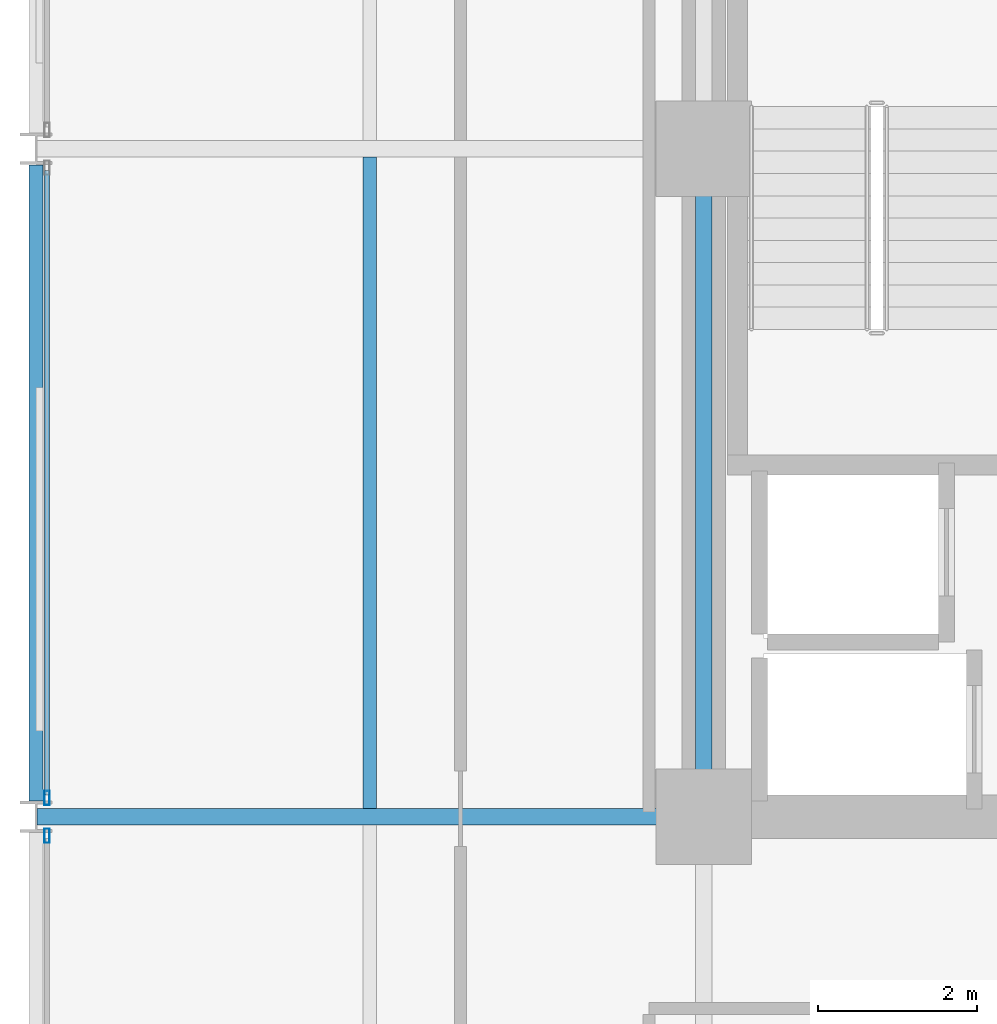
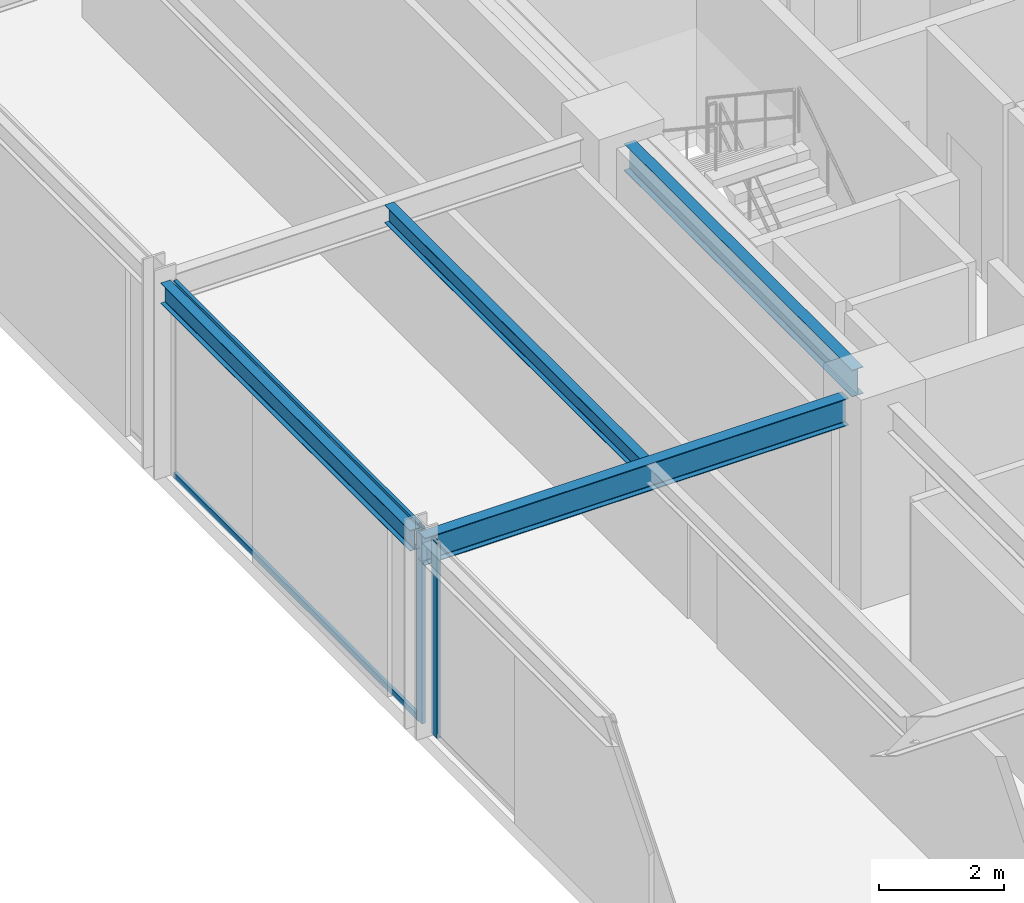
# One storey, part 13 of 38: 4 beams, 4 members, 2 elements without a shape of their own.
"""IFC4 building model written with IfcOpenShell, lengths in metres."""

import ifcopenshell
import ifcopenshell.guid

model = None  # the IFC model being written
_history = None  # IfcOwnerHistory: only IFC2X3 demands one
_inside = {}  # id of a spatial element -> (the spatial element, [elements in it])
_under = {}  # id of a project, library or spatial element -> (it, [spatial elements below it])
_declared = {}  # id of a project -> (the project, [libraries it declares])
_typed = {}  # id of a type object -> (the type object, [elements of that type])
_made_of = {}  # id of a material, layer set ... -> (it, [elements and type objects made of it])


def new_model(schema):
    """Start an empty IFC model of exactly this schema.

    Asked for "IFC4X3", IfcOpenShell would pick the latest addendum, in which some entities
    have other attributes; the version numbers below select the first issue.
    IFC2X3 requires an IfcOwnerHistory on every rooted entity: one is made here for all.
    """
    global model, _history
    if schema == "IFC4X3":
        model = ifcopenshell.file(schema_version=(4, 3, 0, 0))
    else:
        model = ifcopenshell.file(schema=schema)
    _inside.clear()
    _under.clear()
    _declared.clear()
    _typed.clear()
    _made_of.clear()
    _history = None
    if model.schema == "IFC2X3":
        org = make("IfcOrganization", Name="unknown")
        user = make(
            "IfcPersonAndOrganization",
            ThePerson=make("IfcPerson", FamilyName="unknown"),
            TheOrganization=org,
        )
        app = make(
            "IfcApplication",
            ApplicationDeveloper=org,
            Version="unknown",
            ApplicationFullName="unknown",
            ApplicationIdentifier="unknown",
        )
        _history = make(
            "IfcOwnerHistory",
            OwningUser=user,
            OwningApplication=app,
            ChangeAction="ADDED",
            CreationDate=0,
        )
    return model


def make(cls, **values):
    """One entity of the class cls with the attributes given. An attribute that is None is left unset."""
    return model.create_entity(
        cls, **{name: value for name, value in values.items() if value is not None}
    )


def rooted(cls, **values):
    """An entity with a GlobalId (a new one), such as an element, a storey or a relation."""
    return make(cls, GlobalId=ifcopenshell.guid.new(), OwnerHistory=_history, **values)


def si_unit(unit_type, name, prefix=None):
    """IfcSIUnit, for example si_unit("LENGTHUNIT", "METRE", prefix="MILLI")."""
    return make("IfcSIUnit", UnitType=unit_type, Prefix=prefix, Name=name)


def assignment(units):
    """IfcUnitAssignment: the units of a project."""
    return None if units is None else make("IfcUnitAssignment", Units=units)


def point(xyz):
    """IfcCartesianPoint."""
    return None if xyz is None else make("IfcCartesianPoint", Coordinates=xyz)


def direction(xyz):
    """IfcDirection."""
    return None if xyz is None else make("IfcDirection", DirectionRatios=xyz)


def frame(location, z_axis=None, x_axis=None):
    """IfcAxis2Placement3D, a coordinate frame: its origin and axes. An axis left out is left unset."""
    return make(
        "IfcAxis2Placement3D",
        Location=point(location),
        Axis=direction(z_axis),
        RefDirection=direction(x_axis),
    )


def frame_2d(location, x_axis=None):
    """IfcAxis2Placement2D, a coordinate frame in the plane: its origin and x axis."""
    return make(
        "IfcAxis2Placement2D", Location=point(location), RefDirection=direction(x_axis)
    )


def origin():
    """The frame at (0, 0, 0) with its axes left unset."""
    return frame((0.0, 0.0, 0.0))


def origin_2d():
    """The frame at (0, 0) in the plane with its x axis left unset."""
    return frame_2d((0.0, 0.0))


def place(relative_to, where):
    """IfcLocalPlacement: puts the frame where relative to a parent placement (None: the world)."""
    return make(
        "IfcLocalPlacement", PlacementRelTo=relative_to, RelativePlacement=where
    )


def context(
    kind, dimensions, precision=None, world=None, true_north=None, identifier=None
):
    """IfcGeometricRepresentationContext, for example the 3D "Model" context."""
    return make(
        "IfcGeometricRepresentationContext",
        ContextIdentifier=identifier,
        ContextType=kind,
        CoordinateSpaceDimension=dimensions,
        Precision=precision,
        WorldCoordinateSystem=world,
        TrueNorth=true_north,
    )


def subcontext(parent, identifier, kind, view, scale=None):
    """IfcGeometricRepresentationSubContext, for example "Body" below "Model"."""
    return make(
        "IfcGeometricRepresentationSubContext",
        ContextIdentifier=identifier,
        ContextType=kind,
        ParentContext=parent,
        TargetScale=scale,
        TargetView=view,
    )


def project(units=None, contexts=None):
    """IfcProject with its units and contexts."""
    return rooted(
        "IfcProject",
        Name="project",
        RepresentationContexts=contexts,
        UnitsInContext=assignment(units),
    )


def spatial(cls, under=None, at=None, **own):
    """A site, building, storey or space (cls), placed at a placement, below another one or the project."""
    s = rooted(cls, ObjectPlacement=at, **own)
    if under is not None:
        _under.setdefault(under.id(), (under, []))[1].append(s)
    return s


def profile(cls, at=None, kind="AREA", **sizes):
    """A parametric profile (cls). Its sizes go by their IFC names, for example OverallWidth=200.0."""
    return make(cls, ProfileType=kind, Position=at, **sizes)


def hollow_rectangle(**sizes):
    """IfcRectangleHollowProfileDef."""
    return profile("IfcRectangleHollowProfileDef", **sizes)


def i_section(**sizes):
    """IfcIShapeProfileDef."""
    return profile("IfcIShapeProfileDef", **sizes)


def extrude(swept, where, along, depth):
    """IfcExtrudedAreaSolid: the profile swept, set in the frame where, extruded along a direction by depth."""
    return make(
        "IfcExtrudedAreaSolid",
        SweptArea=swept,
        Position=where,
        ExtrudedDirection=direction(along),
        Depth=depth,
    )


def shape(context_of_items, identifier, shape_type, items):
    """IfcShapeRepresentation: the items that make up one representation, for example the "Body"."""
    return make(
        "IfcShapeRepresentation",
        ContextOfItems=context_of_items,
        RepresentationIdentifier=identifier,
        RepresentationType=shape_type,
        Items=items,
    )


def material(Name=None, Category=None):
    """IfcMaterial."""
    return make("IfcMaterial", Name=Name, Category=Category)


def layer(
    of_material, thickness, ventilated=None, Name=None, Category=None, Priority=None
):
    """IfcMaterialLayer: one layer of a wall or slab, of a material (None: an air gap)."""
    return make(
        "IfcMaterialLayer",
        Material=of_material,
        LayerThickness=thickness,
        IsVentilated=ventilated,
        Name=Name,
        Category=Category,
        Priority=Priority,
    )


def layer_set(layers, Name=None):
    """IfcMaterialLayerSet."""
    return make("IfcMaterialLayerSet", MaterialLayers=layers, LayerSetName=Name)


def material_profile(
    of_material, cross_section, Name=None, Category=None, Priority=None
):
    """IfcMaterialProfile: a cross section and its material."""
    return make(
        "IfcMaterialProfile",
        Name=Name,
        Material=of_material,
        Profile=cross_section,
        Priority=Priority,
        Category=Category,
    )


def profile_set(profiles, Name=None, composite=None):
    """IfcMaterialProfileSet."""
    return make(
        "IfcMaterialProfileSet",
        Name=Name,
        MaterialProfiles=profiles,
        CompositeProfile=composite,
    )


def made_of(thing, what):
    """Note that an element or type object is made of a material, layer set ...; save() writes the relation."""
    if what is not None:
        _made_of.setdefault(what.id(), (what, []))[1].append(thing)
    return thing


def type_object(cls, material=None, **own):
    """A type object (cls), such as IfcWallType, which elements share."""
    return made_of(rooted(cls, **own), material)


def element(
    cls,
    number,
    at=None,
    inside=None,
    cuts=None,
    type_object=None,
    material=None,
    context=None,
    identifier="Body",
    shape_type=None,
    held_by="IfcProductDefinitionShape",
    body=None,
    shapes=None,
    **own,
):
    """One element of the class cls, such as IfcWall. Its Tag is "e" and its number.

    at: its placement. inside: the storey or other place that contains it. cuts: it is an
    opening in that element (IfcRelVoidsElement). A single representation is given by context,
    identifier, shape_type and body (its items); several are given by shapes. held_by: the class
    of the entity that holds the representations. save() writes the other relations.
    """
    e = rooted(cls, Tag="e%d" % number, ObjectPlacement=at, **own)
    if body is not None:
        shapes = [shape(context, identifier, shape_type, body)]
    if shapes is not None:
        e.Representation = make(held_by, Representations=shapes)
    if inside is not None:
        _inside.setdefault(inside.id(), (inside, []))[1].append(e)
    if cuts is not None:
        rooted(
            "IfcRelVoidsElement", RelatingBuildingElement=cuts, RelatedOpeningElement=e
        )
    if type_object is not None:
        _typed.setdefault(type_object.id(), (type_object, []))[1].append(e)
    return made_of(e, material)


def aggregate(whole, parts):
    """IfcRelAggregates: a whole, such as a stair, and the parts it consists of."""
    return rooted("IfcRelAggregates", RelatingObject=whole, RelatedObjects=parts)


def save(model, path):
    """Write the relations noted so far, then the file.

    IfcRelAggregates (storeys below a building ...), IfcRelContainedInSpatialStructure (elements
    in a storey), IfcRelDefinesByType, IfcRelAssociatesMaterial and IfcRelDeclares: one each for
    every whole, place, type object, material and project.
    """
    for whole, parts in _under.values():
        aggregate(whole, parts)
    for where, things in _inside.values():
        rooted(
            "IfcRelContainedInSpatialStructure",
            RelatedElements=things,
            RelatingStructure=where,
        )
    for kind, things in _typed.values():
        rooted("IfcRelDefinesByType", RelatedObjects=things, RelatingType=kind)
    for what, things in _made_of.values():
        rooted("IfcRelAssociatesMaterial", RelatedObjects=things, RelatingMaterial=what)
    for by, libraries in _declared.values():
        rooted("IfcRelDeclares", RelatingContext=by, RelatedDefinitions=libraries)
    model.write(path)


model = new_model("IFC4")

# Units and contexts
model_context = context("Model", 3, precision=1e-05, world=origin(), true_north=direction((0.0, 1.0)))
body_context = subcontext(model_context, "Body", "Model", "MODEL_VIEW")
ifc_project = project(units=[si_unit("LENGTHUNIT", "METRE"), si_unit("AREAUNIT", "SQUARE_METRE"), si_unit("VOLUMEUNIT", "CUBIC_METRE"), si_unit("PLANEANGLEUNIT", "RADIAN"), si_unit("MASSUNIT", "GRAM", prefix="KILO")], contexts=[model_context])

# Site, building, storey
site_placement = place(None, origin())
site = spatial("IfcSite", under=ifc_project, at=site_placement, CompositionType="ELEMENT")
building_placement = place(site_placement, origin())
building = spatial("IfcBuilding", under=site, at=building_placement, Name="Nerrivon Quay Data Exchange", CompositionType="ELEMENT")
storey_placement = place(building_placement, frame((0.0, 0.0, 88.5)))
storey = spatial("IfcBuildingStorey", under=building, at=storey_placement, Name="L20", CompositionType="ELEMENT", Elevation=88.5)

# Beams
ifc_material_1 = material(Name="Steel Grade 350", Category="steel")
ifc_material_profile_1 = material_profile(ifc_material_1, i_section(OverallWidth=0.208984375, OverallDepth=0.532958984375, WebThickness=0.01025390625, FlangeThickness=0.015625, FilletRadius=0.013916015625, at=origin_2d()), Name="530UB92.4")
ifc_profile_set_1 = profile_set([ifc_material_profile_1], Name="Steel Grade 350")
beam_type_1 = type_object("IfcBeamType", Name="BM-G3-530UB92", PredefinedType="BEAM", material=ifc_profile_set_1)
beam_1_placement = place(storey_placement, frame((0.012451171875, 25.199951171875, 3.55859375), z_axis=(1.0, 0.0, 0.0), x_axis=(0.0, 1.0, 0.0)))
element("IfcBeam", 1, at=beam_1_placement, inside=storey, type_object=beam_type_1, Name="L20 EW Girder Y=25.2 (0.0..8.4)", PredefinedType="BEAM", context=body_context, shape_type="SweptSolid", body=[
    extrude(i_section(OverallWidth=0.208984375, OverallDepth=0.532958984375, WebThickness=0.01025390625, FlangeThickness=0.015625, FilletRadius=0.013916015625, at=origin_2d()), origin(), (0.0, 0.0, 1.0), 7.84765625),
])
ifc_material_profile_2 = material_profile(ifc_material_1, i_section(OverallWidth=0.208984375, OverallDepth=0.528076171875, WebThickness=0.009521484375, FlangeThickness=0.01318359375, FilletRadius=0.013916015625, at=origin_2d()), Name="530UB82.0")
ifc_profile_set_2 = profile_set([ifc_material_profile_2], Name="Steel Grade 350")
beam_type_2 = type_object("IfcBeamType", Name="BM-G4-530UB82", PredefinedType="BEAM", material=ifc_profile_set_2)
beam_2_placement = place(storey_placement, frame((8.39990234375, 25.739990234375, 3.56103515625), z_axis=(0.0, 1.0, 0.0), x_axis=(-1.0, 0.0, 0.0)))
element("IfcBeam", 2, at=beam_2_placement, inside=storey, type_object=beam_type_2, Name="L20 NS Girder X=8.4 (25.2..33.6)", PredefinedType="BEAM", context=body_context, shape_type="SweptSolid", body=[
    extrude(i_section(OverallWidth=0.208984375, OverallDepth=0.528076171875, WebThickness=0.009521484375, FlangeThickness=0.01318359375, FilletRadius=0.013916015625, at=origin_2d()), origin(), (0.0, 0.0, 1.0), 7.320068359375),
])
ifc_material_profile_3 = material_profile(ifc_material_1, i_section(OverallWidth=0.1708984375, OverallDepth=0.35595703125, WebThickness=0.00732421875, FlangeThickness=0.011474609375, FilletRadius=0.011474609375, at=origin_2d()), Name="360UB50.7")
ifc_profile_set_3 = profile_set([ifc_material_profile_3], Name="Steel Grade 350")
beam_type_3 = type_object("IfcBeamType", Name="BM-J4-360UB51", PredefinedType="JOIST", material=ifc_profile_set_3)
beam_3_placement = place(storey_placement, frame((4.199951171875, 25.304443359375, 3.64697265625), z_axis=(0.0, 1.0, 0.0), x_axis=(-1.0, 0.0, 0.0)))
element("IfcBeam", 3, at=beam_3_placement, inside=storey, type_object=beam_type_3, Name="L20 Secondary Joist X=4.2 (25.2..33.6)", PredefinedType="JOIST", context=body_context, shape_type="SweptSolid", body=[
    extrude(i_section(OverallWidth=0.1708984375, OverallDepth=0.35595703125, WebThickness=0.00732421875, FlangeThickness=0.011474609375, FilletRadius=0.011474609375, at=origin_2d()), origin(), (0.0, 0.0, 1.0), 8.191162109375),
])
ifc_material_profile_4 = material_profile(ifc_material_1, i_section(OverallWidth=0.177978515625, OverallDepth=0.403076171875, WebThickness=0.007568359375, FlangeThickness=0.010986328125, FilletRadius=0.011474609375, at=origin_2d()), Name="410UB53.7")
ifc_profile_set_4 = profile_set([ifc_material_profile_4], Name="Steel Grade 350")
beam_type_4 = type_object("IfcBeamType", Name="BM-SP2-410UB54", PredefinedType="SPANDREL", material=ifc_profile_set_4)
beam_4_placement = place(storey_placement, frame((0.0, 25.39990234375, 3.62353515625), z_axis=(0.0, 1.0, 0.0), x_axis=(-1.0, 0.0, 0.0)))
element("IfcBeam", 4, at=beam_4_placement, inside=storey, type_object=beam_type_4, Name="L20 NS Girder X=0.0 (25.2..33.6)", PredefinedType="SPANDREL", context=body_context, shape_type="SweptSolid", body=[
    extrude(i_section(OverallWidth=0.177978515625, OverallDepth=0.403076171875, WebThickness=0.007568359375, FlangeThickness=0.010986328125, FilletRadius=0.011474609375, at=origin_2d()), origin(), (0.0, 0.0, 1.0), 8.0),
])

# Curtain wall, member
ifc_material_2 = material(Name="Anodised aluminium 6063-T6", Category="aluminium")
ifc_layer = layer(ifc_material_2, 0.2099609375)
ifc_layer_set = layer_set([ifc_layer], Name="Anodised aluminium 6063-T6")
curtain_wall_type = type_object("IfcCurtainWallType", Name="CW-SYS-02", PredefinedType="NOTDEFINED", material=ifc_layer_set)
curtain_wall_1_placement = place(storey_placement, origin())
curtain_wall_1 = element("IfcCurtainWall", 5, at=curtain_wall_1_placement, inside=storey, type_object=curtain_wall_type, Name="L20 Unitised Curtain Wall 19", PredefinedType="NOTDEFINED")
ifc_material_profile_5 = material_profile(ifc_material_2, hollow_rectangle(XDim=0.06494140625, YDim=0.179931640625, WallThickness=0.00341796875, at=origin_2d()), Name="ALU-MULL-180x65")
ifc_profile_set_5 = profile_set([ifc_material_profile_5], Name="Anodised aluminium 6063-T6")
member_type_1 = type_object("IfcMemberType", Name="CWM-180x65", PredefinedType="MULLION", material=ifc_profile_set_5)
member_1_placement = place(storey_placement, frame((0.139892578125, 24.96240234375, 0.0), z_axis=(0.0, 0.0, 1.0), x_axis=(-1.0, 0.0, 0.0)))
member_1 = element("IfcMember", 6, at=member_1_placement, type_object=member_type_1, Name="CW02 mullion 2", PredefinedType="MULLION", context=body_context, shape_type="SweptSolid", body=[
    extrude(hollow_rectangle(XDim=0.06494140625, YDim=0.179931640625, WallThickness=0.00341796875, at=origin_2d()), origin(), (0.0, 0.0, 1.0), 3.824951171875),
])
aggregate(curtain_wall_1, [member_1])

# Curtain wall, members
curtain_wall_2_placement = place(storey_placement, origin())
curtain_wall_2 = element("IfcCurtainWall", 7, at=curtain_wall_2_placement, inside=storey, type_object=curtain_wall_type, Name="L20 Unitised Curtain Wall 20", PredefinedType="NOTDEFINED")
member_2_placement = place(storey_placement, frame((0.139892578125, 25.4375, 0.0), z_axis=(0.0, 0.0, 1.0), x_axis=(-1.0, 0.0, 0.0)))
member_2 = element("IfcMember", 8, at=member_2_placement, type_object=member_type_1, Name="CW02 mullion 1", PredefinedType="MULLION", context=body_context, shape_type="SweptSolid", body=[
    extrude(hollow_rectangle(XDim=0.06494140625, YDim=0.179931640625, WallThickness=0.00341796875, at=origin_2d()), origin(), (0.0, 0.0, 1.0), 3.824951171875),
])
ifc_material_profile_6 = material_profile(ifc_material_2, hollow_rectangle(XDim=0.06005859375, YDim=0.1201171875, WallThickness=0.003173828125, at=origin_2d()), Name="ALU-TRAN-120x60")
ifc_profile_set_6 = profile_set([ifc_material_profile_6], Name="Anodised aluminium 6063-T6")
member_type_2 = type_object("IfcMemberType", Name="CWT-120x60", PredefinedType="USERDEFINED", material=ifc_profile_set_6)
member_3_placement = place(storey_placement, frame((0.139892578125, 25.47509765625, 0.032470703125), z_axis=(0.0, 1.0, 0.0), x_axis=(-1.0, 0.0, 0.0)))
member_3 = element("IfcMember", 9, at=member_3_placement, type_object=member_type_2, Name="CW02 transom 1.1", ObjectType="TRANSOM", PredefinedType="USERDEFINED", context=body_context, shape_type="SweptSolid", body=[
    extrude(hollow_rectangle(XDim=0.06005859375, YDim=0.1201171875, WallThickness=0.003173828125, at=origin_2d()), origin(), (0.0, 0.0, 1.0), 7.849853515625),
])
member_4_placement = place(storey_placement, frame((0.139892578125, 25.47509765625, 3.79248046875), z_axis=(0.0, 1.0, 0.0), x_axis=(-1.0, 0.0, 0.0)))
member_4 = element("IfcMember", 10, at=member_4_placement, type_object=member_type_2, Name="CW02 transom 1.2", ObjectType="TRANSOM", PredefinedType="USERDEFINED", context=body_context, shape_type="SweptSolid", body=[
    extrude(hollow_rectangle(XDim=0.06005859375, YDim=0.1201171875, WallThickness=0.003173828125, at=origin_2d()), origin(), (0.0, 0.0, 1.0), 7.849853515625),
])
aggregate(curtain_wall_2, [member_2, member_3, member_4])

save(model, "model.ifc")
